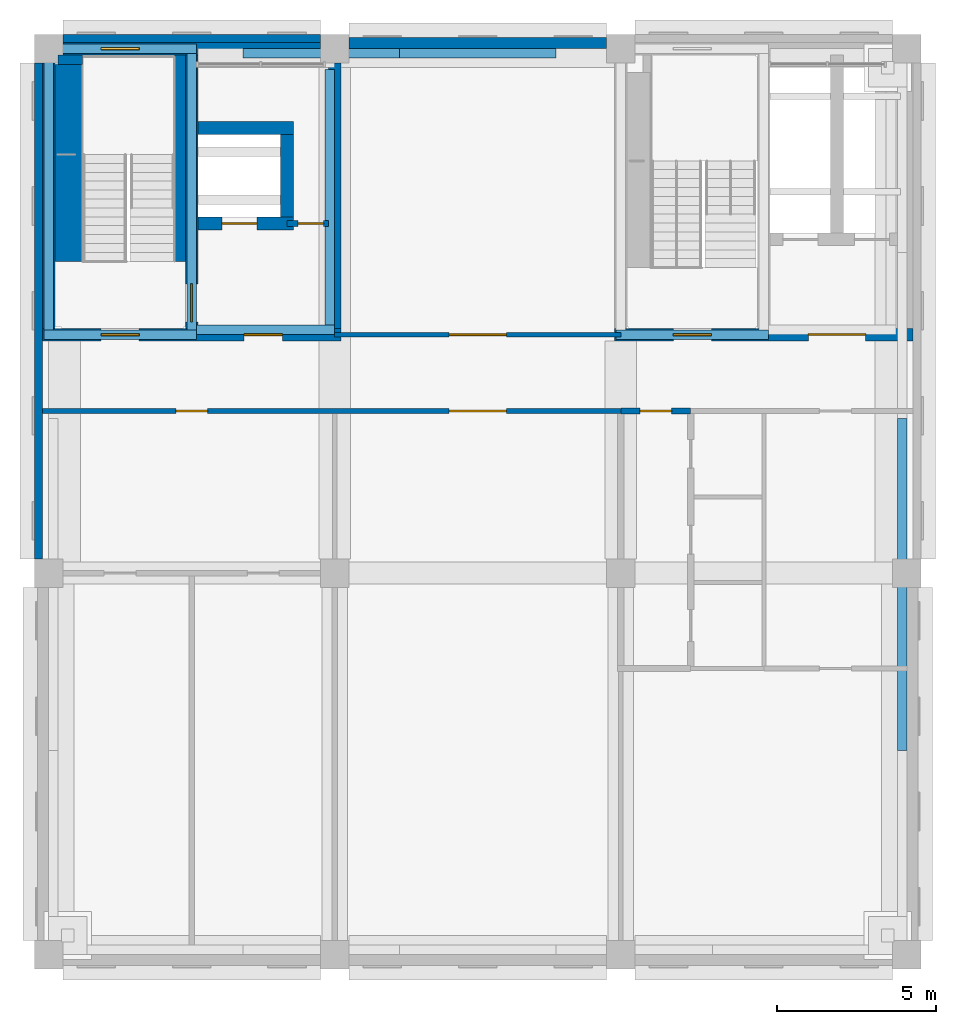
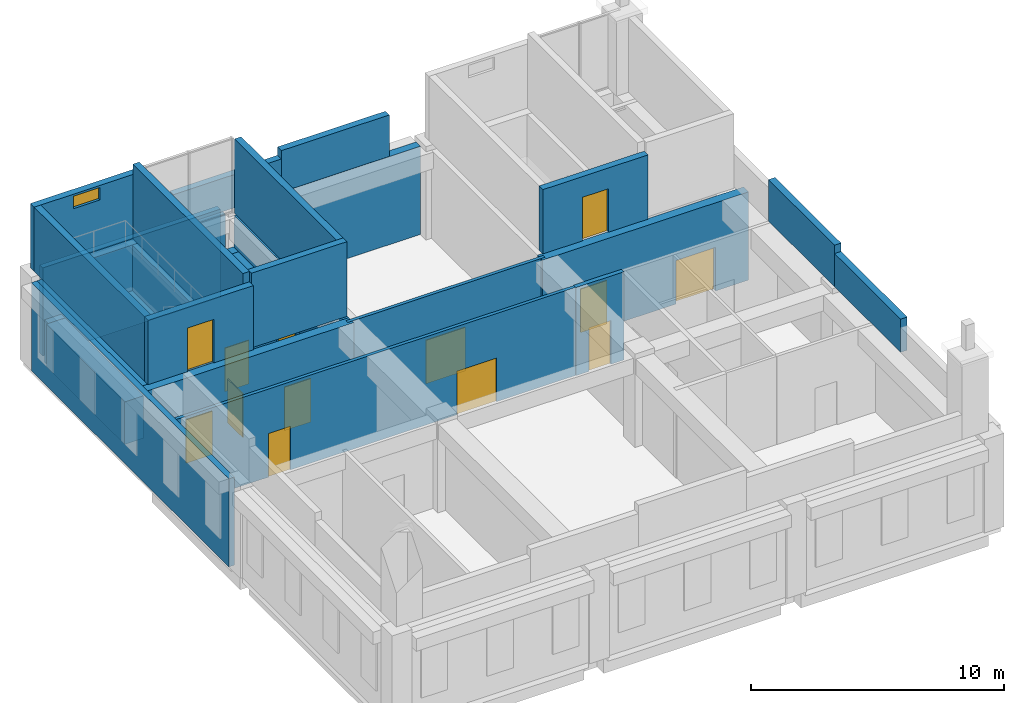
# One storey, part 4 of 6: 30 walls, 13 doors, 1 window, 14 openings.
"""IFC4 building model written with IfcOpenShell, lengths in metres."""

from ifc_helpers import new_model, si_unit, direction, frame, frame_2d, origin, place, context, subcontext, project, spatial, rectangle, extrude, material, layer, layer_set, type_object, element, fill, save


model = new_model("IFC4")

# Units and contexts
model_context = context("Model", 3, precision=1e-05, world=origin(), true_north=direction((0.0, 1.0)))
body_context = subcontext(model_context, "Body", "Model", "MODEL_VIEW")
ifc_project = project(units=[si_unit("LENGTHUNIT", "METRE"), si_unit("AREAUNIT", "SQUARE_METRE"), si_unit("VOLUMEUNIT", "CUBIC_METRE"), si_unit("PLANEANGLEUNIT", "RADIAN"), si_unit("MASSUNIT", "GRAM", prefix="KILO")], contexts=[model_context])

# Site, building, storey
site_placement = place(None, origin())
site = spatial("IfcSite", under=ifc_project, at=site_placement, CompositionType="ELEMENT")
building_placement = place(site_placement, origin())
building = spatial("IfcBuilding", under=site, at=building_placement, Name="Aurelan Courthouse", CompositionType="ELEMENT")
storey_placement = place(building_placement, frame((0.0, 0.0, 57.89990234375)))
storey = spatial("IfcBuildingStorey", under=building, at=storey_placement, Name="L11", CompositionType="ELEMENT", Elevation=57.89990234375)

# Walls
ifc_material_1 = material(Name="Limestone cladding", Category="masonry")
ifc_layer_1 = layer(ifc_material_1, 0.300048828125)
ifc_layer_set_1 = layer_set([ifc_layer_1], Name="Limestone cladding")
wall_type_1 = type_object("IfcWallType", Name="CR5 crown parapet 300 x 1600", PredefinedType="PARAPET", material=ifc_layer_set_1)
wall_1_placement = place(storey_placement, frame((6.1201171875, 28.35009765625, 4.5), z_axis=(0.0, 0.0, 1.0), x_axis=(1.0, 0.0, 0.0)))
element("IfcWall", 1, at=wall_1_placement, inside=storey, type_object=wall_type_1, Name="Crown parapet CR5-PA07", PredefinedType="PARAPET", context=body_context, shape_type="SweptSolid", body=[
    extrude(rectangle(XDim=4.919921875, YDim=0.300048828125, at=frame_2d((2.4599609375, 0.0))), origin(), (0.0, 0.0, 1.0), 1.60009765625),
])
wall_2_placement = place(storey_placement, frame((26.85009765625, 6.419921875, 4.5), z_axis=(0.0, 0.0, 1.0), x_axis=(0.0, 1.0, 0.0)))
element("IfcWall", 2, at=wall_2_placement, inside=storey, type_object=wall_type_1, Name="Crown parapet CR5-PA17", PredefinedType="PARAPET", context=body_context, shape_type="SweptSolid", body=[
    extrude(rectangle(XDim=5.219970703125, YDim=0.300048828125, at=frame_2d((2.60986328125, 0.0))), origin(), (0.0, 0.0, 1.0), 1.60009765625),
])
ifc_layer_2 = layer(ifc_material_1, 0.300048828125)
ifc_layer_set_2 = layer_set([ifc_layer_2], Name="Limestone cladding")
wall_type_2 = type_object("IfcWallType", Name="CR5 crown parapet 300 x 2000", PredefinedType="PARAPET", material=ifc_layer_set_2)
wall_3_placement = place(storey_placement, frame((11.0400390625, 28.35009765625, 4.5), z_axis=(0.0, 0.0, 1.0), x_axis=(1.0, 0.0, 0.0)))
element("IfcWall", 3, at=wall_3_placement, inside=storey, type_object=wall_type_2, Name="Crown parapet CR5-PA08", PredefinedType="PARAPET", context=body_context, shape_type="SweptSolid", body=[
    extrude(rectangle(XDim=4.919921875, YDim=0.300048828125, at=frame_2d((2.4599609375, 0.0))), origin(), (0.0, 0.0, 1.0), 2.0),
])
wall_4_placement = place(storey_placement, frame((26.85009765625, 11.639892578125, 4.5), z_axis=(0.0, 0.0, 1.0), x_axis=(0.0, 1.0, 0.0)))
element("IfcWall", 4, at=wall_4_placement, inside=storey, type_object=wall_type_2, Name="Crown parapet CR5-PA18", PredefinedType="PARAPET", context=body_context, shape_type="SweptSolid", body=[
    extrude(rectangle(XDim=5.22021484375, YDim=0.300048828125, at=frame_2d((2.610107421875, 0.0))), origin(), (0.0, 0.0, 1.0), 2.0),
])

# Wall, openings, doors
ifc_material_2 = material(Name="Gypsum board on metal studs")
ifc_layer_3 = layer(ifc_material_2, 0.14990234375)
ifc_layer_set_3 = layer_set([ifc_layer_3], Name="Gypsum board on metal studs")
wall_type_3 = type_object("IfcWallType", Name="Corridor partition 150 EI 60", PredefinedType="PARTITIONING", material=ifc_layer_set_3)
wall_5_placement = place(storey_placement, frame((-0.199951171875, 17.10009765625, 0.0), z_axis=(0.0, 0.0, 1.0), x_axis=(1.0, 0.0, 0.0)))
wall_5 = element("IfcWall", 5, at=wall_5_placement, inside=storey, type_object=wall_type_3, Name="Corridor partition L11-007", PredefinedType="PARTITIONING", context=body_context, shape_type="SweptSolid", body=[
    extrude(rectangle(XDim=18.199951171875, YDim=0.14990234375, at=frame_2d((9.10009765625, 0.0))), origin(), (0.0, 0.0, 1.0), 4.25),
])
opening_1_placement = place(wall_5_placement, frame((5.199951171875, 0.0, 0.0), z_axis=(0.0, 0.0, 1.0), x_axis=(-1.0, 0.0, 0.0)))
opening_1 = element("IfcOpeningElement", 6, at=opening_1_placement, cuts=wall_5, Name="Opening D-L11-010", PredefinedType="OPENING", context=body_context, shape_type="SweptSolid", body=[
    extrude(rectangle(XDim=1.0, YDim=2.10009765625, at=frame_2d((0.5, 1.050048828125))), frame((0.0, 0.0849609375, 0.0), z_axis=(0.0, -1.0, 0.0), x_axis=(1.0, 0.0, 0.0)), (0.0, 0.0, 1.0), 0.169921875),
])
opening_2_placement = place(wall_5_placement, frame((14.60009765625, 0.0, 0.0), z_axis=(0.0, 0.0, 1.0), x_axis=(-1.0, 0.0, 0.0)))
opening_2 = element("IfcOpeningElement", 7, at=opening_2_placement, cuts=wall_5, Name="Opening D-L11-013", PredefinedType="OPENING", context=body_context, shape_type="SweptSolid", body=[
    extrude(rectangle(XDim=1.800048828125, YDim=2.10009765625, at=frame_2d((0.89990234375, 1.050048828125))), frame((0.0, 0.0849609375, 0.0), z_axis=(0.0, -1.0, 0.0), x_axis=(1.0, 0.0, 0.0)), (0.0, 0.0, 1.0), 0.169921875),
])
ifc_material_3 = material(Name="Steel", Category="steel")
door_type_1 = type_object("IfcDoorType", Name="Double door 1800 x 2100 FD60", OperationType="DOUBLE_DOOR_SINGLE_SWING", PredefinedType="DOOR", material=ifc_material_3)
door_1_placement = place(opening_2_placement, origin())
door_1 = element("IfcDoor", 8, at=door_1_placement, inside=storey, type_object=door_type_1, Name="Double door D-L11-013", OperationType="DOUBLE_DOOR_SINGLE_SWING", OverallHeight=2.10009765625, OverallWidth=1.800048828125, PredefinedType="DOOR", context=body_context, shape_type="SweptSolid", body=[
    extrude(rectangle(XDim=1.800048828125, YDim=2.10009765625, at=frame_2d((0.89990234375, 1.050048828125))), frame((0.0, 0.02490234375, 0.0), z_axis=(0.0, -1.0, 0.0), x_axis=(1.0, 0.0, 0.0)), (0.0, 0.0, 1.0), 0.050048828125),
])
fill(opening_2, door_1)
door_type_2 = type_object("IfcDoorType", Name="Single door 1000 x 2100 FD60", OperationType="SINGLE_SWING_LEFT", PredefinedType="DOOR", material=ifc_material_3)
door_2_placement = place(opening_1_placement, origin())
door_2 = element("IfcDoor", 9, at=door_2_placement, inside=storey, type_object=door_type_2, Name="Single door D-L11-010", OperationType="SINGLE_SWING_LEFT", OverallHeight=2.10009765625, OverallWidth=1.0, PredefinedType="DOOR", context=body_context, shape_type="SweptSolid", body=[
    extrude(rectangle(XDim=1.0, YDim=2.10009765625, at=frame_2d((0.5, 1.050048828125))), frame((0.0, 0.02490234375, 0.0), z_axis=(0.0, -1.0, 0.0), x_axis=(1.0, 0.0, 0.0)), (0.0, 0.0, 1.0), 0.050048828125),
])
fill(opening_1, door_2)

# Wall, opening, door
wall_6_placement = place(storey_placement, frame((9.0, 19.5, 0.0), z_axis=(0.0, 0.0, 1.0), x_axis=(1.0, 0.0, 0.0)))
wall_6 = element("IfcWall", 10, at=wall_6_placement, inside=storey, type_object=wall_type_3, Name="Corridor partition L11-010", PredefinedType="PARTITIONING", context=body_context, shape_type="SweptSolid", body=[
    extrude(rectangle(XDim=9.0, YDim=0.14990234375, at=frame_2d((4.5, 0.0))), origin(), (0.0, 0.0, 1.0), 4.25),
])
opening_3_placement = place(wall_6_placement, frame((3.60009765625, 0.0, 0.0)))
opening_3 = element("IfcOpeningElement", 11, at=opening_3_placement, cuts=wall_6, Name="Opening D-L11-014", PredefinedType="OPENING", context=body_context, shape_type="SweptSolid", body=[
    extrude(rectangle(XDim=1.800048828125, YDim=2.10009765625, at=frame_2d((0.89990234375, 1.050048828125))), frame((0.0, 0.0849609375, 0.0), z_axis=(0.0, -1.0, 0.0), x_axis=(1.0, 0.0, 0.0)), (0.0, 0.0, 1.0), 0.169921875),
])
door_3_placement = place(opening_3_placement, origin())
door_3 = element("IfcDoor", 12, at=door_3_placement, inside=storey, type_object=door_type_1, Name="Double door D-L11-014", OperationType="DOUBLE_DOOR_SINGLE_SWING", OverallHeight=2.10009765625, OverallWidth=1.800048828125, PredefinedType="DOOR", context=body_context, shape_type="SweptSolid", body=[
    extrude(rectangle(XDim=1.800048828125, YDim=2.10009765625, at=frame_2d((0.89990234375, 1.050048828125))), frame((0.0, 0.02490234375, 0.0), z_axis=(0.0, -1.0, 0.0), x_axis=(1.0, 0.0, 0.0)), (0.0, 0.0, 1.0), 0.050048828125),
])
fill(opening_3, door_3)

# Walls
ifc_layer_4 = layer(ifc_material_1, 0.070068359375, Name="Facing")
ifc_material_4 = material(Name="Ventilated cavity")
ifc_layer_5 = layer(ifc_material_4, 0.02490234375, ventilated=True, Name="Ventilated cavity")
ifc_material_5 = material(Name="Mineral wool insulation")
ifc_layer_6 = layer(ifc_material_5, 0.034912109375, Name="Insulation")
ifc_material_6 = material(Name="Concrete C30", Category="concrete")
ifc_layer_7 = layer(ifc_material_6, 0.1201171875, Name="Structure")
ifc_layer_set_4 = layer_set([ifc_layer_4, ifc_layer_5, ifc_layer_6, ifc_layer_7], Name="Concrete C30")
wall_type_4 = type_object("IfcWallType", Name="Courts' Floors stone-faced wall 250", PredefinedType="SOLIDWALL", material=ifc_layer_set_4)
wall_7_placement = place(storey_placement, frame((0.449951171875, 28.824951171875, 0.0), z_axis=(0.0, 0.0, 1.0), x_axis=(1.0, 0.0, 0.0)))
element("IfcWall", 13, at=wall_7_placement, inside=storey, type_object=wall_type_4, Name="Facade wall FW-V5-L11-004", PredefinedType="SOLIDWALL", context=body_context, shape_type="SweptSolid", body=[
    extrude(rectangle(XDim=8.10009765625, YDim=0.25, at=frame_2d((4.050048828125, 0.0))), origin(), (0.0, 0.0, 1.0), 4.25),
])
wall_8_placement = place(storey_placement, frame((-0.324951171875, 12.449951171875, 0.0), z_axis=(0.0, 0.0, 1.0), x_axis=(0.0, 1.0, 0.0)))
element("IfcWall", 14, at=wall_8_placement, inside=storey, type_object=wall_type_4, Name="Facade wall FW-V5-L11-010", PredefinedType="SOLIDWALL", context=body_context, shape_type="SweptSolid", body=[
    extrude(rectangle(XDim=15.60009765625, YDim=0.25, at=frame_2d((7.800048828125, 0.0))), origin(), (0.0, 0.0, 1.0), 4.25),
])
ifc_layer_8 = layer(ifc_material_1, 0.10009765625, Name="Facing")
ifc_layer_9 = layer(ifc_material_4, 0.02490234375, ventilated=True, Name="Ventilated cavity")
ifc_layer_10 = layer(ifc_material_5, 0.050048828125, Name="Insulation")
ifc_layer_11 = layer(ifc_material_6, 0.175048828125, Name="Structure")
ifc_layer_set_5 = layer_set([ifc_layer_8, ifc_layer_9, ifc_layer_10, ifc_layer_11], Name="Concrete C30")
wall_type_5 = type_object("IfcWallType", Name="Courts' Floors stone-faced wall 350", PredefinedType="SOLIDWALL", material=ifc_layer_set_5)
wall_9_placement = place(storey_placement, frame((9.449951171875, 28.675048828125, 0.0), z_axis=(0.0, 0.0, 1.0), x_axis=(1.0, 0.0, 0.0)))
element("IfcWall", 15, at=wall_9_placement, inside=storey, type_object=wall_type_5, Name="Facade wall FW-V5-L11-005", PredefinedType="SOLIDWALL", context=body_context, shape_type="SweptSolid", body=[
    extrude(rectangle(XDim=8.10009765625, YDim=0.35009765625, at=frame_2d((4.050048828125, 0.0))), origin(), (0.0, 0.0, 1.0), 4.25),
])

# Wall, opening, door
ifc_material_7 = material(Name="Concrete C40", Category="concrete")
ifc_layer_12 = layer(ifc_material_7, 0.300048828125)
ifc_layer_set_6 = layer_set([ifc_layer_12], Name="Concrete C40")
wall_type_6 = type_object("IfcWallType", Name="Head house wall 300 x 3100", PredefinedType="SOLIDWALL", material=ifc_layer_set_6)
wall_10_placement = place(storey_placement, frame((17.85009765625, 19.5, 4.5), z_axis=(0.0, 0.0, 1.0), x_axis=(1.0, 0.0, 0.0)))
wall_10 = element("IfcWall", 16, at=wall_10_placement, inside=storey, type_object=wall_type_6, Name="Head house wall HH-ST-5A-S", PredefinedType="SOLIDWALL", context=body_context, shape_type="SweptSolid", body=[
    extrude(rectangle(XDim=4.7998046875, YDim=0.300048828125, at=frame_2d((2.39990234375, 0.0))), origin(), (0.0, 0.0, 1.0), 3.10009765625),
])
opening_4_placement = place(wall_10_placement, frame((3.0, 0.0, 0.0), z_axis=(0.0, 0.0, 1.0), x_axis=(-1.0, 0.0, 0.0)))
opening_4 = element("IfcOpeningElement", 17, at=opening_4_placement, cuts=wall_10, Name="Opening RAD-V5-1", PredefinedType="OPENING", context=body_context, shape_type="SweptSolid", body=[
    extrude(rectangle(XDim=1.199951171875, YDim=2.10009765625, at=frame_2d((0.60009765625, 1.050048828125))), frame((0.0, 0.159912109375, 0.0), z_axis=(0.0, -1.0, 0.0), x_axis=(1.0, 0.0, 0.0)), (0.0, 0.0, 1.0), 0.320068359375),
])
ifc_material_8 = material(Name="Bronze-clad timber", Category="wood")
door_type_3 = type_object("IfcDoorType", Name="Bronze single door 1200 x 2100", OperationType="SINGLE_SWING_LEFT", PredefinedType="DOOR", material=ifc_material_8)
door_4_placement = place(opening_4_placement, origin())
door_4 = element("IfcDoor", 18, at=door_4_placement, inside=storey, type_object=door_type_3, Name="Roof access door RAD-V5-1", OperationType="SINGLE_SWING_LEFT", OverallHeight=2.10009765625, OverallWidth=1.199951171875, PredefinedType="DOOR", context=body_context, shape_type="SweptSolid", body=[
    extrude(rectangle(XDim=1.199951171875, YDim=2.10009765625, at=frame_2d((0.60009765625, 1.050048828125))), frame((0.0, 0.02490234375, 0.0), z_axis=(0.0, -1.0, 0.0), x_axis=(1.0, 0.0, 0.0)), (0.0, 0.0, 1.0), 0.050048828125),
])
fill(opening_4, door_4)

wall_11_placement = place(storey_placement, frame((-0.14990234375, 19.5, 4.5), z_axis=(0.0, 0.0, 1.0), x_axis=(1.0, 0.0, 0.0)))
wall_11 = element("IfcWall", 19, at=wall_11_placement, inside=storey, type_object=wall_type_6, Name="Head house wall HH-ST-5B-S", PredefinedType="SOLIDWALL", context=body_context, shape_type="SweptSolid", body=[
    extrude(rectangle(XDim=4.7998046875, YDim=0.300048828125, at=frame_2d((2.39990234375, 0.0))), origin(), (0.0, 0.0, 1.0), 3.10009765625),
])
opening_5_placement = place(wall_11_placement, frame((3.0, 0.0, 0.0), z_axis=(0.0, 0.0, 1.0), x_axis=(-1.0, 0.0, 0.0)))
opening_5 = element("IfcOpeningElement", 20, at=opening_5_placement, cuts=wall_11, Name="Opening RAD-V5-2", PredefinedType="OPENING", context=body_context, shape_type="SweptSolid", body=[
    extrude(rectangle(XDim=1.199951171875, YDim=2.10009765625, at=frame_2d((0.60009765625, 1.050048828125))), frame((0.0, 0.159912109375, 0.0), z_axis=(0.0, -1.0, 0.0), x_axis=(1.0, 0.0, 0.0)), (0.0, 0.0, 1.0), 0.320068359375),
])
door_5_placement = place(opening_5_placement, origin())
door_5 = element("IfcDoor", 21, at=door_5_placement, inside=storey, type_object=door_type_3, Name="Roof access door RAD-V5-2", OperationType="SINGLE_SWING_LEFT", OverallHeight=2.10009765625, OverallWidth=1.199951171875, PredefinedType="DOOR", context=body_context, shape_type="SweptSolid", body=[
    extrude(rectangle(XDim=1.199951171875, YDim=2.10009765625, at=frame_2d((0.60009765625, 1.050048828125))), frame((0.0, 0.02490234375, 0.0), z_axis=(0.0, -1.0, 0.0), x_axis=(1.0, 0.0, 0.0)), (0.0, 0.0, 1.0), 0.050048828125),
])
fill(opening_5, door_5)

# Wall, opening, window
wall_12_placement = place(storey_placement, frame((-0.14990234375, 28.5, 4.5), z_axis=(0.0, 0.0, 1.0), x_axis=(1.0, 0.0, 0.0)))
wall_12 = element("IfcWall", 22, at=wall_12_placement, inside=storey, type_object=wall_type_6, Name="Head house wall HH-ST-5B-N", PredefinedType="SOLIDWALL", context=body_context, shape_type="SweptSolid", body=[
    extrude(rectangle(XDim=4.7998046875, YDim=0.300048828125, at=frame_2d((2.39990234375, 0.0))), origin(), (0.0, 0.0, 1.0), 3.10009765625),
])
opening_6_placement = place(wall_12_placement, frame((1.800048828125, 0.0, 2.39990234375)))
opening_6 = element("IfcOpeningElement", 23, at=opening_6_placement, cuts=wall_12, Name="Opening HL-ST-5B", PredefinedType="OPENING", context=body_context, shape_type="SweptSolid", body=[
    extrude(rectangle(XDim=1.199951171875, YDim=0.60009765625, at=frame_2d((0.60009765625, 0.300048828125))), frame((0.0, 0.159912109375, 0.0), z_axis=(0.0, -1.0, 0.0), x_axis=(1.0, 0.0, 0.0)), (0.0, 0.0, 1.0), 0.320068359375),
])
ifc_material_9 = material(Name="Bronze-finished aluminium louvre", Category="aluminium")
window_type = type_object("IfcWindowType", Name="Head house louvre 1200 x 600", PartitioningType="SINGLE_PANEL", PredefinedType="WINDOW", material=ifc_material_9)
window_placement = place(opening_6_placement, origin())
window = element("IfcWindow", 24, at=window_placement, inside=storey, type_object=window_type, Name="Head house louvre HL-ST-5B", OverallHeight=0.60009765625, OverallWidth=1.199951171875, PartitioningType="SINGLE_PANEL", PredefinedType="WINDOW", context=body_context, shape_type="SweptSolid", body=[
    extrude(rectangle(XDim=1.199951171875, YDim=0.60009765625, at=frame_2d((0.60009765625, 0.300048828125))), frame((0.0, 0.030029296875, 0.0), z_axis=(0.0, -1.0, 0.0), x_axis=(1.0, 0.0, 0.0)), (0.0, 0.0, 1.0), 0.06005859375),
])
fill(opening_6, window)

# Wall
wall_13_placement = place(storey_placement, frame((0.0, 19.64990234375, 4.5), z_axis=(0.0, 0.0, 1.0), x_axis=(0.0, 1.0, 0.0)))
element("IfcWall", 25, at=wall_13_placement, inside=storey, type_object=wall_type_6, Name="Head house wall HH-ST-5B-W", PredefinedType="SOLIDWALL", context=body_context, shape_type="SweptSolid", body=[
    extrude(rectangle(XDim=8.7001953125, YDim=0.300048828125, at=frame_2d((4.35009765625, 0.0))), origin(), (0.0, 0.0, 1.0), 3.10009765625),
])

# Wall, opening, door
ifc_material_10 = material(Name="Masonry block", Category="masonry")
ifc_layer_13 = layer(ifc_material_10, 0.199951171875)
ifc_layer_set_7 = layer_set([ifc_layer_13], Name="Masonry block")
wall_type_7 = type_object("IfcWallType", Name="Lift lobby wall 200 EI 60", PredefinedType="PARTITIONING", material=ifc_layer_set_7)
wall_14_placement = place(storey_placement, frame((18.0, 17.10009765625, 0.0), z_axis=(0.0, 0.0, 1.0), x_axis=(1.0, 0.0, 0.0)))
wall_14 = element("IfcWall", 26, at=wall_14_placement, inside=storey, type_object=wall_type_7, Name="Lift lobby wall L11-008", PredefinedType="PARTITIONING", context=body_context, shape_type="SweptSolid", body=[
    extrude(rectangle(XDim=2.199951171875, YDim=0.199951171875, at=frame_2d((1.10009765625, 0.0))), origin(), (0.0, 0.0, 1.0), 4.25),
])
opening_7_placement = place(wall_14_placement, frame((0.60009765625, 0.0, 0.0)))
opening_7 = element("IfcOpeningElement", 27, at=opening_7_placement, cuts=wall_14, Name="Opening D-L11-016", PredefinedType="OPENING", context=body_context, shape_type="SweptSolid", body=[
    extrude(rectangle(XDim=1.0, YDim=2.10009765625, at=frame_2d((0.5, 1.050048828125))), frame((0.0, 0.10986328125, 0.0), z_axis=(0.0, -1.0, 0.0), x_axis=(1.0, 0.0, 0.0)), (0.0, 0.0, 1.0), 0.219970703125),
])
door_6_placement = place(opening_7_placement, origin())
door_6 = element("IfcDoor", 28, at=door_6_placement, inside=storey, type_object=door_type_2, Name="Single door D-L11-016", OperationType="SINGLE_SWING_RIGHT", OverallHeight=2.10009765625, OverallWidth=1.0, PredefinedType="DOOR", context=body_context, shape_type="SweptSolid", body=[
    extrude(rectangle(XDim=1.0, YDim=2.10009765625, at=frame_2d((0.5, 1.050048828125))), frame((0.0, 0.02490234375, 0.0), z_axis=(0.0, -1.0, 0.0), x_axis=(1.0, 0.0, 0.0)), (0.0, 0.0, 1.0), 0.050048828125),
])
fill(opening_7, door_6)

# Walls
ifc_layer_14 = layer(ifc_material_7, 0.300048828125)
ifc_layer_set_8 = layer_set([ifc_layer_14], Name="Concrete C40")
wall_type_8 = type_object("IfcWallType", Name="Overrun wall 300 x 3600", PredefinedType="SOLIDWALL", material=ifc_layer_set_8)
wall_15_placement = place(storey_placement, frame((4.64990234375, 19.64990234375, 4.5), z_axis=(0.0, 0.0, 1.0), x_axis=(1.0, 0.0, 0.0)))
element("IfcWall", 29, at=wall_15_placement, inside=storey, type_object=wall_type_8, Name="Overrun wall CR5-OV1-S", PredefinedType="SOLIDWALL", context=body_context, shape_type="SweptSolid", body=[
    extrude(rectangle(XDim=4.35009765625, YDim=0.300048828125, at=frame_2d((2.175048828125, 0.0))), origin(), (0.0, 0.0, 1.0), 3.60009765625),
])
wall_16_placement = place(storey_placement, frame((4.5, 19.64990234375, 4.5), z_axis=(0.0, 0.0, 1.0), x_axis=(0.0, 1.0, 0.0)))
element("IfcWall", 30, at=wall_16_placement, inside=storey, type_object=wall_type_8, Name="Overrun wall CR5-OV1-W", PredefinedType="SOLIDWALL", context=body_context, shape_type="SweptSolid", body=[
    extrude(rectangle(XDim=8.7001953125, YDim=0.300048828125, at=frame_2d((4.35009765625, 0.0))), origin(), (0.0, 0.0, 1.0), 3.60009765625),
])
wall_17_placement = place(storey_placement, frame((8.85009765625, 19.800048828125, 4.5), z_axis=(0.0, 0.0, 1.0), x_axis=(0.0, 1.0, 0.0)))
element("IfcWall", 31, at=wall_17_placement, inside=storey, type_object=wall_type_8, Name="Overrun wall CR5-OV1-E", PredefinedType="SOLIDWALL", context=body_context, shape_type="SweptSolid", body=[
    extrude(rectangle(XDim=8.050048828125, YDim=0.300048828125, at=frame_2d((4.02490234375, 0.0))), origin(), (0.0, 0.0, 1.0), 3.60009765625),
])

# Wall, openings, doors
ifc_material_11 = material(Name="Concrete C50", Category="concrete")
ifc_layer_15 = layer(ifc_material_11, 0.39990234375)
ifc_layer_set_9 = layer_set([ifc_layer_15], Name="Concrete C50")
wall_type_9 = type_object("IfcWallType", Name="RC shear wall 400", PredefinedType="SHEAR", material=ifc_layer_set_9)
wall_18_placement = place(storey_placement, frame((-0.199951171875, 19.5, 0.0), z_axis=(0.0, 0.0, 1.0), x_axis=(1.0, 0.0, 0.0)))
wall_18 = element("IfcWall", 32, at=wall_18_placement, inside=storey, type_object=wall_type_9, Name="Core wall SW-L11-001", PredefinedType="SHEAR", context=body_context, shape_type="SweptSolid", body=[
    extrude(rectangle(XDim=9.39990234375, YDim=0.39990234375, at=frame_2d((4.699951171875, 0.0))), origin(), (0.0, 0.0, 1.0), 4.25),
])
opening_8_placement = place(wall_18_placement, frame((1.85009765625, 0.0, 0.0)))
opening_8 = element("IfcOpeningElement", 33, at=opening_8_placement, cuts=wall_18, Name="Opening D-L11-001", PredefinedType="OPENING", context=body_context, shape_type="SweptSolid", body=[
    extrude(rectangle(XDim=1.199951171875, YDim=2.10009765625, at=frame_2d((0.60009765625, 1.050048828125))), frame((0.0, 0.2099609375, 0.0), z_axis=(0.0, -1.0, 0.0), x_axis=(1.0, 0.0, 0.0)), (0.0, 0.0, 1.0), 0.419921875),
])
opening_9_placement = place(wall_18_placement, frame((6.35009765625, 0.0, 0.0)))
opening_9 = element("IfcOpeningElement", 34, at=opening_9_placement, cuts=wall_18, Name="Opening D-L11-003", PredefinedType="OPENING", context=body_context, shape_type="SweptSolid", body=[
    extrude(rectangle(XDim=1.199951171875, YDim=2.10009765625, at=frame_2d((0.60009765625, 1.050048828125))), frame((0.0, 0.2099609375, 0.0), z_axis=(0.0, -1.0, 0.0), x_axis=(1.0, 0.0, 0.0)), (0.0, 0.0, 1.0), 0.419921875),
])
door_type_4 = type_object("IfcDoorType", Name="Single door 1200 x 2100 FD90", OperationType="SINGLE_SWING_LEFT", PredefinedType="DOOR", material=ifc_material_3)
door_7_placement = place(opening_8_placement, origin())
door_7 = element("IfcDoor", 35, at=door_7_placement, inside=storey, type_object=door_type_4, Name="Single door D-L11-001", OperationType="SINGLE_SWING_RIGHT", OverallHeight=2.10009765625, OverallWidth=1.199951171875, PredefinedType="DOOR", context=body_context, shape_type="SweptSolid", body=[
    extrude(rectangle(XDim=1.199951171875, YDim=2.10009765625, at=frame_2d((0.60009765625, 1.050048828125))), frame((0.0, 0.02490234375, 0.0), z_axis=(0.0, -1.0, 0.0), x_axis=(1.0, 0.0, 0.0)), (0.0, 0.0, 1.0), 0.050048828125),
])
fill(opening_8, door_7)
door_8_placement = place(opening_9_placement, origin())
door_8 = element("IfcDoor", 36, at=door_8_placement, inside=storey, type_object=door_type_4, Name="Single door D-L11-003", OperationType="SINGLE_SWING_RIGHT", OverallHeight=2.10009765625, OverallWidth=1.199951171875, PredefinedType="DOOR", context=body_context, shape_type="SweptSolid", body=[
    extrude(rectangle(XDim=1.199951171875, YDim=2.10009765625, at=frame_2d((0.60009765625, 1.050048828125))), frame((0.0, 0.02490234375, 0.0), z_axis=(0.0, -1.0, 0.0), x_axis=(1.0, 0.0, 0.0)), (0.0, 0.0, 1.0), 0.050048828125),
])
fill(opening_9, door_8)

wall_19_placement = place(storey_placement, frame((17.800048828125, 19.5, 0.0), z_axis=(0.0, 0.0, 1.0), x_axis=(1.0, 0.0, 0.0)))
wall_19 = element("IfcWall", 37, at=wall_19_placement, inside=storey, type_object=wall_type_9, Name="Core wall SW-L11-002", PredefinedType="SHEAR", context=body_context, shape_type="SweptSolid", body=[
    extrude(rectangle(XDim=9.39990234375, YDim=0.39990234375, at=frame_2d((4.699951171875, 0.0))), origin(), (0.0, 0.0, 1.0), 4.25),
])
opening_10_placement = place(wall_19_placement, frame((1.85009765625, 0.0, 0.0)))
opening_10 = element("IfcOpeningElement", 38, at=opening_10_placement, cuts=wall_19, Name="Opening D-L11-006", PredefinedType="OPENING", context=body_context, shape_type="SweptSolid", body=[
    extrude(rectangle(XDim=1.199951171875, YDim=2.10009765625, at=frame_2d((0.60009765625, 1.050048828125))), frame((0.0, 0.2099609375, 0.0), z_axis=(0.0, -1.0, 0.0), x_axis=(1.0, 0.0, 0.0)), (0.0, 0.0, 1.0), 0.419921875),
])
opening_11_placement = place(wall_19_placement, frame((7.900146484375, 0.0, 0.0), z_axis=(0.0, 0.0, 1.0), x_axis=(-1.0, 0.0, 0.0)))
opening_11 = element("IfcOpeningElement", 39, at=opening_11_placement, cuts=wall_19, Name="Opening D-L11-007", PredefinedType="OPENING", context=body_context, shape_type="SweptSolid", body=[
    extrude(rectangle(XDim=1.800048828125, YDim=2.10009765625, at=frame_2d((0.89990234375, 1.050048828125))), frame((0.0, 0.2099609375, 0.0), z_axis=(0.0, -1.0, 0.0), x_axis=(1.0, 0.0, 0.0)), (0.0, 0.0, 1.0), 0.419921875),
])
door_type_5 = type_object("IfcDoorType", Name="Double door 1800 x 2100 FD90", OperationType="DOUBLE_DOOR_SINGLE_SWING", PredefinedType="DOOR", material=ifc_material_3)
door_9_placement = place(opening_11_placement, origin())
door_9 = element("IfcDoor", 40, at=door_9_placement, inside=storey, type_object=door_type_5, Name="Double door D-L11-007", OperationType="DOUBLE_DOOR_SINGLE_SWING", OverallHeight=2.10009765625, OverallWidth=1.800048828125, PredefinedType="DOOR", context=body_context, shape_type="SweptSolid", body=[
    extrude(rectangle(XDim=1.800048828125, YDim=2.10009765625, at=frame_2d((0.89990234375, 1.050048828125))), frame((0.0, 0.02490234375, 0.0), z_axis=(0.0, -1.0, 0.0), x_axis=(1.0, 0.0, 0.0)), (0.0, 0.0, 1.0), 0.050048828125),
])
fill(opening_11, door_9)
door_10_placement = place(opening_10_placement, origin())
door_10 = element("IfcDoor", 41, at=door_10_placement, inside=storey, type_object=door_type_4, Name="Single door D-L11-006", OperationType="SINGLE_SWING_LEFT", OverallHeight=2.10009765625, OverallWidth=1.199951171875, PredefinedType="DOOR", context=body_context, shape_type="SweptSolid", body=[
    extrude(rectangle(XDim=1.199951171875, YDim=2.10009765625, at=frame_2d((0.60009765625, 1.050048828125))), frame((0.0, 0.02490234375, 0.0), z_axis=(0.0, -1.0, 0.0), x_axis=(1.0, 0.0, 0.0)), (0.0, 0.0, 1.0), 0.050048828125),
])
fill(opening_10, door_10)

# Wall
wall_20_placement = place(storey_placement, frame((0.0, 19.699951171875, 0.0), z_axis=(0.0, 0.0, 1.0), x_axis=(0.0, 1.0, 0.0)))
element("IfcWall", 42, at=wall_20_placement, inside=storey, type_object=wall_type_9, Name="Core wall SW-L11-003", PredefinedType="SHEAR", context=body_context, shape_type="SweptSolid", body=[
    extrude(rectangle(XDim=8.35009765625, YDim=0.39990234375, at=frame_2d((4.175048828125, 0.0))), origin(), (0.0, 0.0, 1.0), 4.25),
])

# Wall, opening, door
wall_21_placement = place(storey_placement, frame((4.5, 19.699951171875, 0.0), z_axis=(0.0, 0.0, 1.0), x_axis=(0.0, 1.0, 0.0)))
wall_21 = element("IfcWall", 43, at=wall_21_placement, inside=storey, type_object=wall_type_9, Name="Core wall SW-L11-004", PredefinedType="SHEAR", context=body_context, shape_type="SweptSolid", body=[
    extrude(rectangle(XDim=8.60009765625, YDim=0.39990234375, at=frame_2d((4.300048828125, 0.0))), origin(), (0.0, 0.0, 1.0), 4.25),
])
opening_12_placement = place(wall_21_placement, frame((0.199951171875, 0.0, 0.0)))
opening_12 = element("IfcOpeningElement", 44, at=opening_12_placement, cuts=wall_21, Name="Opening D-L11-002", PredefinedType="OPENING", context=body_context, shape_type="SweptSolid", body=[
    extrude(rectangle(XDim=1.199951171875, YDim=2.10009765625, at=frame_2d((0.60009765625, 1.050048828125))), frame((0.0, 0.2099609375, 0.0), z_axis=(0.0, -1.0, 0.0), x_axis=(1.0, 0.0, 0.0)), (0.0, 0.0, 1.0), 0.419921875),
])
door_11_placement = place(opening_12_placement, origin())
door_11 = element("IfcDoor", 45, at=door_11_placement, inside=storey, type_object=door_type_4, Name="Single door D-L11-002", OperationType="SINGLE_SWING_LEFT", OverallHeight=2.10009765625, OverallWidth=1.199951171875, PredefinedType="DOOR", context=body_context, shape_type="SweptSolid", body=[
    extrude(rectangle(XDim=1.199951171875, YDim=2.10009765625, at=frame_2d((0.60009765625, 1.050048828125))), frame((0.0, 0.02490234375, 0.0), z_axis=(0.0, -1.0, 0.0), x_axis=(1.0, 0.0, 0.0)), (0.0, 0.0, 1.0), 0.050048828125),
])
fill(opening_12, door_11)

# Wall
wall_22_placement = place(storey_placement, frame((9.0, 19.699951171875, 0.0), z_axis=(0.0, 0.0, 1.0), x_axis=(0.0, 1.0, 0.0)))
element("IfcWall", 46, at=wall_22_placement, inside=storey, type_object=wall_type_9, Name="Core wall SW-L11-005", PredefinedType="SHEAR", context=body_context, shape_type="SweptSolid", body=[
    extrude(rectangle(XDim=8.35009765625, YDim=0.39990234375, at=frame_2d((4.175048828125, 0.0))), origin(), (0.0, 0.0, 1.0), 4.25),
])

# Wall, opening, door
wall_23_placement = place(storey_placement, frame((4.699951171875, 23.0, 0.0), z_axis=(0.0, 0.0, 1.0), x_axis=(1.0, 0.0, 0.0)))
wall_23 = element("IfcWall", 47, at=wall_23_placement, inside=storey, type_object=wall_type_9, Name="Core wall SW-L11-011", PredefinedType="SHEAR", context=body_context, shape_type="SweptSolid", body=[
    extrude(rectangle(XDim=3.0, YDim=0.39990234375, at=frame_2d((1.5, 0.0))), origin(), (0.0, 0.0, 1.0), 4.25),
])
opening_13_placement = place(wall_23_placement, frame((0.75, 0.0, 0.0)))
opening_13 = element("IfcOpeningElement", 48, at=opening_13_placement, cuts=wall_23, Name="Opening LD-V5-F1-L11", PredefinedType="OPENING", context=body_context, shape_type="SweptSolid", body=[
    extrude(rectangle(XDim=1.10009765625, YDim=2.10009765625, at=frame_2d((0.550048828125, 1.050048828125))), frame((0.0, 0.2099609375, 0.0), z_axis=(0.0, -1.0, 0.0), x_axis=(1.0, 0.0, 0.0)), (0.0, 0.0, 1.0), 0.419921875),
])
door_type_6 = type_object("IfcDoorType", Name="Lift landing door 1100 x 2100 FD90", OperationType="SLIDING_TO_LEFT", PredefinedType="DOOR", material=ifc_material_3)
door_12_placement = place(opening_13_placement, origin())
door_12 = element("IfcDoor", 49, at=door_12_placement, inside=storey, type_object=door_type_6, Name="Lift landing door LD-V5-F1-L11", OperationType="SLIDING_TO_LEFT", OverallHeight=2.10009765625, OverallWidth=1.10009765625, PredefinedType="DOOR", context=body_context, shape_type="SweptSolid", body=[
    extrude(rectangle(XDim=1.10009765625, YDim=2.10009765625, at=frame_2d((0.550048828125, 1.050048828125))), frame((0.0, 0.02490234375, 0.0), z_axis=(0.0, -1.0, 0.0), x_axis=(1.0, 0.0, 0.0)), (0.0, 0.0, 1.0), 0.050048828125),
])
fill(opening_13, door_12)

# Walls
wall_24_placement = place(storey_placement, frame((7.5, 23.199951171875, 0.0), z_axis=(0.0, 0.0, 1.0), x_axis=(0.0, 1.0, 0.0)))
element("IfcWall", 50, at=wall_24_placement, inside=storey, type_object=wall_type_9, Name="Core wall SW-L11-012", PredefinedType="SHEAR", context=body_context, shape_type="SweptSolid", body=[
    extrude(rectangle(XDim=2.60009765625, YDim=0.39990234375, at=frame_2d((1.300048828125, 0.0))), origin(), (0.0, 0.0, 1.0), 4.25),
])
wall_25_placement = place(storey_placement, frame((4.699951171875, 26.0, 0.0), z_axis=(0.0, 0.0, 1.0), x_axis=(1.0, 0.0, 0.0)))
element("IfcWall", 51, at=wall_25_placement, inside=storey, type_object=wall_type_9, Name="Core wall SW-L11-013", PredefinedType="SHEAR", context=body_context, shape_type="SweptSolid", body=[
    extrude(rectangle(XDim=3.0, YDim=0.39990234375, at=frame_2d((1.5, 0.0))), origin(), (0.0, 0.0, 1.0), 4.25),
])
wall_26_placement = place(storey_placement, frame((0.449951171875, 28.5, 0.0), z_axis=(0.0, 0.0, 1.0), x_axis=(1.0, 0.0, 0.0)))
element("IfcWall", 52, at=wall_26_placement, inside=storey, type_object=wall_type_9, Name="Core wall SW-L11-014", PredefinedType="SHEAR", context=body_context, shape_type="SweptSolid", body=[
    extrude(rectangle(XDim=8.10009765625, YDim=0.39990234375, at=frame_2d((4.050048828125, 0.0))), origin(), (0.0, 0.0, 1.0), 4.25),
])

# Wall, opening, door
ifc_layer_16 = layer(ifc_material_6, 0.199951171875)
ifc_layer_set_10 = layer_set([ifc_layer_16], Name="Concrete C30")
wall_type_10 = type_object("IfcWallType", Name="Shaft wall 200 EI 120 load-bearing", PredefinedType="SHEAR", material=ifc_layer_set_10)
wall_27_placement = place(storey_placement, frame((7.5, 23.0, 0.0), z_axis=(0.0, 0.0, 1.0), x_axis=(1.0, 0.0, 0.0)))
wall_27 = element("IfcWall", 53, at=wall_27_placement, inside=storey, type_object=wall_type_10, Name="Shaft wall L11-011", PredefinedType="SHEAR", context=body_context, shape_type="SweptSolid", body=[
    extrude(rectangle(XDim=1.300048828125, YDim=0.199951171875, at=frame_2d((0.64990234375, 0.0))), origin(), (0.0, 0.0, 1.0), 4.25),
])
opening_14_placement = place(wall_27_placement, frame((1.150146484375, 0.0, 0.0), z_axis=(0.0, 0.0, 1.0), x_axis=(-1.0, 0.0, 0.0)))
opening_14 = element("IfcOpeningElement", 54, at=opening_14_placement, cuts=wall_27, Name="Opening D-L11-005", PredefinedType="OPENING", context=body_context, shape_type="SweptSolid", body=[
    extrude(rectangle(XDim=0.800048828125, YDim=2.0, at=frame_2d((0.39990234375, 1.0))), frame((0.0, 0.10986328125, 0.0), z_axis=(0.0, -1.0, 0.0), x_axis=(1.0, 0.0, 0.0)), (0.0, 0.0, 1.0), 0.219970703125),
])
door_type_7 = type_object("IfcDoorType", Name="Single door 800 x 2000 FD90", OperationType="SINGLE_SWING_LEFT", PredefinedType="DOOR", material=ifc_material_3)
door_13_placement = place(opening_14_placement, origin())
door_13 = element("IfcDoor", 55, at=door_13_placement, inside=storey, type_object=door_type_7, Name="Single door D-L11-005", OperationType="SINGLE_SWING_LEFT", OverallHeight=2.0, OverallWidth=0.800048828125, PredefinedType="DOOR", context=body_context, shape_type="SweptSolid", body=[
    extrude(rectangle(XDim=0.800048828125, YDim=2.0, at=frame_2d((0.39990234375, 1.0))), frame((0.0, 0.02490234375, 0.0), z_axis=(0.0, -1.0, 0.0), x_axis=(1.0, 0.0, 0.0)), (0.0, 0.0, 1.0), 0.050048828125),
])
fill(opening_14, door_13)

# Walls
ifc_layer_17 = layer(ifc_material_6, 0.340087890625)
ifc_layer_set_11 = layer_set([ifc_layer_17], Name="Concrete C30")
wall_type_11 = type_object("IfcWallType", Name="Stair well wall 340 EI 120 load-bearing", PredefinedType="SHEAR", material=ifc_layer_set_11)
wall_28_placement = place(storey_placement, frame((4.1298828125, 21.81005859375, 0.0), z_axis=(0.0, 0.0, 1.0), x_axis=(0.0, 1.0, 0.0)))
element("IfcWall", 56, at=wall_28_placement, inside=storey, type_object=wall_type_11, Name="Stair well wall ST-5B-L11 B", PredefinedType="SHEAR", context=body_context, shape_type="SweptSolid", body=[
    extrude(rectangle(XDim=6.489990234375, YDim=0.340087890625, at=frame_2d((3.2451171875, 0.0))), origin(), (0.0, 0.0, 1.0), 2.050048828125),
])
ifc_layer_18 = layer(ifc_material_6, 0.760009765625)
ifc_layer_set_12 = layer_set([ifc_layer_18], Name="Concrete C30")
wall_type_12 = type_object("IfcWallType", Name="Stair well wall 760 EI 120 load-bearing", PredefinedType="SHEAR", material=ifc_layer_set_12)
wall_29_placement = place(storey_placement, frame((0.679931640625, 28.0, 0.0), z_axis=(0.0, 0.0, 1.0), x_axis=(0.0, 1.0, 0.0)))
element("IfcWall", 57, at=wall_29_placement, inside=storey, type_object=wall_type_12, Name="Stair well wall ST-5B-L11 A2", PredefinedType="SHEAR", context=body_context, shape_type="SweptSolid", body=[
    extrude(rectangle(XDim=0.300048828125, YDim=0.760009765625, at=frame_2d((0.14990234375, 0.0))), origin(), (0.0, 0.0, 1.0), 2.050048828125),
])
ifc_layer_19 = layer(ifc_material_6, 0.860107421875)
ifc_layer_set_13 = layer_set([ifc_layer_19], Name="Concrete C30")
wall_type_13 = type_object("IfcWallType", Name="Stair well wall 860 EI 120 load-bearing", PredefinedType="SHEAR", material=ifc_layer_set_13)
wall_30_placement = place(storey_placement, frame((0.6298828125, 21.81005859375, 0.0), z_axis=(0.0, 0.0, 1.0), x_axis=(0.0, 1.0, 0.0)))
element("IfcWall", 58, at=wall_30_placement, inside=storey, type_object=wall_type_13, Name="Stair well wall ST-5B-L11 A", PredefinedType="SHEAR", context=body_context, shape_type="SweptSolid", body=[
    extrude(rectangle(XDim=6.18994140625, YDim=0.860107421875, at=frame_2d((3.094970703125, 0.0))), origin(), (0.0, 0.0, 1.0), 2.050048828125),
])

save(model, "model.ifc")
